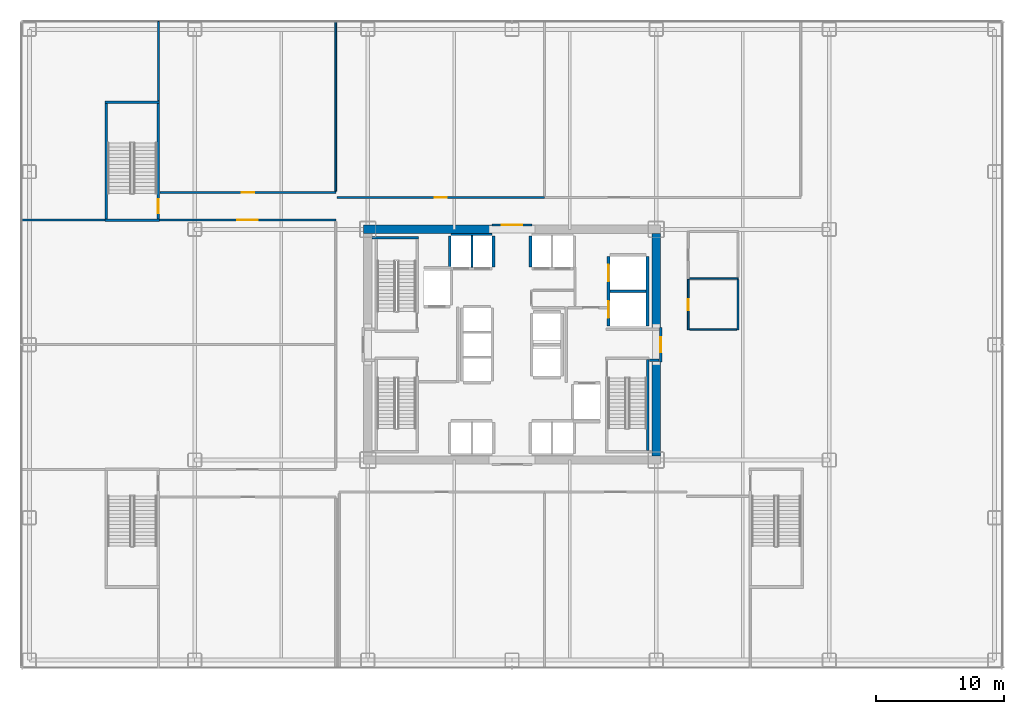
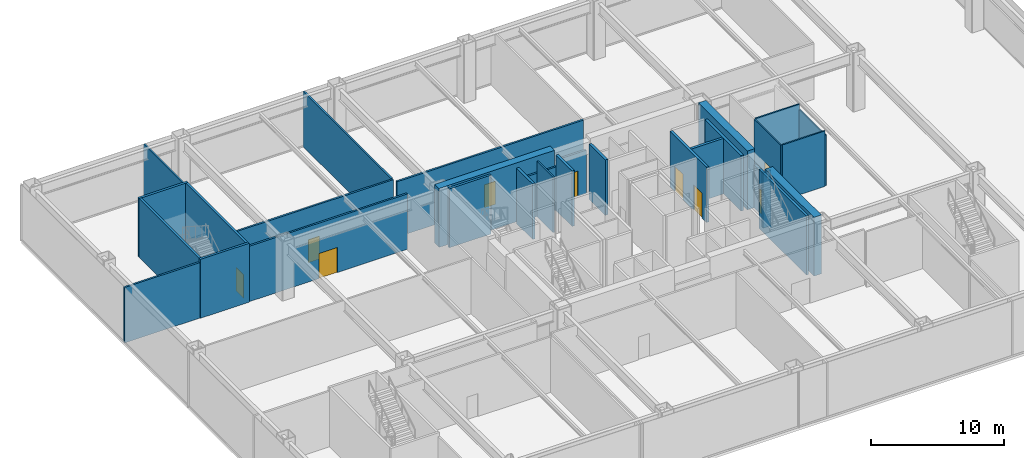
# One storey, part 19 of 24: 30 walls, 9 doors, 9 openings.
"""IFC4 building model written with IfcOpenShell, lengths in metres."""

import ifcopenshell
import ifcopenshell.guid

model = None  # the IFC model being written
_history = None  # IfcOwnerHistory: only IFC2X3 demands one
_inside = {}  # id of a spatial element -> (the spatial element, [elements in it])
_under = {}  # id of a project, library or spatial element -> (it, [spatial elements below it])
_declared = {}  # id of a project -> (the project, [libraries it declares])
_typed = {}  # id of a type object -> (the type object, [elements of that type])
_made_of = {}  # id of a material, layer set ... -> (it, [elements and type objects made of it])


def new_model(schema):
    """Start an empty IFC model of exactly this schema.

    Asked for "IFC4X3", IfcOpenShell would pick the latest addendum, in which some entities
    have other attributes; the version numbers below select the first issue.
    IFC2X3 requires an IfcOwnerHistory on every rooted entity: one is made here for all.
    """
    global model, _history
    if schema == "IFC4X3":
        model = ifcopenshell.file(schema_version=(4, 3, 0, 0))
    else:
        model = ifcopenshell.file(schema=schema)
    _inside.clear()
    _under.clear()
    _declared.clear()
    _typed.clear()
    _made_of.clear()
    _history = None
    if model.schema == "IFC2X3":
        org = make("IfcOrganization", Name="unknown")
        user = make(
            "IfcPersonAndOrganization",
            ThePerson=make("IfcPerson", FamilyName="unknown"),
            TheOrganization=org,
        )
        app = make(
            "IfcApplication",
            ApplicationDeveloper=org,
            Version="unknown",
            ApplicationFullName="unknown",
            ApplicationIdentifier="unknown",
        )
        _history = make(
            "IfcOwnerHistory",
            OwningUser=user,
            OwningApplication=app,
            ChangeAction="ADDED",
            CreationDate=0,
        )
    return model


def make(cls, **values):
    """One entity of the class cls with the attributes given. An attribute that is None is left unset."""
    return model.create_entity(
        cls, **{name: value for name, value in values.items() if value is not None}
    )


def rooted(cls, **values):
    """An entity with a GlobalId (a new one), such as an element, a storey or a relation."""
    return make(cls, GlobalId=ifcopenshell.guid.new(), OwnerHistory=_history, **values)


def si_unit(unit_type, name, prefix=None):
    """IfcSIUnit, for example si_unit("LENGTHUNIT", "METRE", prefix="MILLI")."""
    return make("IfcSIUnit", UnitType=unit_type, Prefix=prefix, Name=name)


def assignment(units):
    """IfcUnitAssignment: the units of a project."""
    return None if units is None else make("IfcUnitAssignment", Units=units)


def point(xyz):
    """IfcCartesianPoint."""
    return None if xyz is None else make("IfcCartesianPoint", Coordinates=xyz)


def direction(xyz):
    """IfcDirection."""
    return None if xyz is None else make("IfcDirection", DirectionRatios=xyz)


def frame(location, z_axis=None, x_axis=None):
    """IfcAxis2Placement3D, a coordinate frame: its origin and axes. An axis left out is left unset."""
    return make(
        "IfcAxis2Placement3D",
        Location=point(location),
        Axis=direction(z_axis),
        RefDirection=direction(x_axis),
    )


def frame_2d(location, x_axis=None):
    """IfcAxis2Placement2D, a coordinate frame in the plane: its origin and x axis."""
    return make(
        "IfcAxis2Placement2D", Location=point(location), RefDirection=direction(x_axis)
    )


def origin():
    """The frame at (0, 0, 0) with its axes left unset."""
    return frame((0.0, 0.0, 0.0))


def place(relative_to, where):
    """IfcLocalPlacement: puts the frame where relative to a parent placement (None: the world)."""
    return make(
        "IfcLocalPlacement", PlacementRelTo=relative_to, RelativePlacement=where
    )


def context(
    kind, dimensions, precision=None, world=None, true_north=None, identifier=None
):
    """IfcGeometricRepresentationContext, for example the 3D "Model" context."""
    return make(
        "IfcGeometricRepresentationContext",
        ContextIdentifier=identifier,
        ContextType=kind,
        CoordinateSpaceDimension=dimensions,
        Precision=precision,
        WorldCoordinateSystem=world,
        TrueNorth=true_north,
    )


def subcontext(parent, identifier, kind, view, scale=None):
    """IfcGeometricRepresentationSubContext, for example "Body" below "Model"."""
    return make(
        "IfcGeometricRepresentationSubContext",
        ContextIdentifier=identifier,
        ContextType=kind,
        ParentContext=parent,
        TargetScale=scale,
        TargetView=view,
    )


def project(units=None, contexts=None):
    """IfcProject with its units and contexts."""
    return rooted(
        "IfcProject",
        Name="project",
        RepresentationContexts=contexts,
        UnitsInContext=assignment(units),
    )


def spatial(cls, under=None, at=None, **own):
    """A site, building, storey or space (cls), placed at a placement, below another one or the project."""
    s = rooted(cls, ObjectPlacement=at, **own)
    if under is not None:
        _under.setdefault(under.id(), (under, []))[1].append(s)
    return s


def profile(cls, at=None, kind="AREA", **sizes):
    """A parametric profile (cls). Its sizes go by their IFC names, for example OverallWidth=200.0."""
    return make(cls, ProfileType=kind, Position=at, **sizes)


def rectangle(**sizes):
    """IfcRectangleProfileDef."""
    return profile("IfcRectangleProfileDef", **sizes)


def extrude(swept, where, along, depth):
    """IfcExtrudedAreaSolid: the profile swept, set in the frame where, extruded along a direction by depth."""
    return make(
        "IfcExtrudedAreaSolid",
        SweptArea=swept,
        Position=where,
        ExtrudedDirection=direction(along),
        Depth=depth,
    )


def shape(context_of_items, identifier, shape_type, items):
    """IfcShapeRepresentation: the items that make up one representation, for example the "Body"."""
    return make(
        "IfcShapeRepresentation",
        ContextOfItems=context_of_items,
        RepresentationIdentifier=identifier,
        RepresentationType=shape_type,
        Items=items,
    )


def source(mapping_origin, context_of_items, identifier, shape_type, items):
    """IfcRepresentationMap: a shape defined once, which mapped items show again and again."""
    return make(
        "IfcRepresentationMap",
        MappingOrigin=mapping_origin,
        MappedRepresentation=shape(context_of_items, identifier, shape_type, items),
    )


def transform(
    local_origin,
    x_axis=None,
    y_axis=None,
    z_axis=None,
    scale=None,
    scale2=None,
    scale3=None,
    uniform=True,
):
    """IfcCartesianTransformationOperator3D, or its non-uniform kind. x_axis, y_axis, z_axis: its Axis1, 2, 3."""
    if uniform:
        return make(
            "IfcCartesianTransformationOperator3D",
            Axis1=direction(x_axis),
            Axis2=direction(y_axis),
            LocalOrigin=point(local_origin),
            Scale=scale,
            Axis3=direction(z_axis),
        )
    return make(
        "IfcCartesianTransformationOperator3DnonUniform",
        Axis1=direction(x_axis),
        Axis2=direction(y_axis),
        LocalOrigin=point(local_origin),
        Scale=scale,
        Axis3=direction(z_axis),
        Scale2=scale2,
        Scale3=scale3,
    )


def mapped(mapping_source, mapping_target):
    """IfcMappedItem: shows the shape of a source again, moved by a transform."""
    return make(
        "IfcMappedItem", MappingSource=mapping_source, MappingTarget=mapping_target
    )


def material(Name=None, Category=None):
    """IfcMaterial."""
    return make("IfcMaterial", Name=Name, Category=Category)


def layer(
    of_material, thickness, ventilated=None, Name=None, Category=None, Priority=None
):
    """IfcMaterialLayer: one layer of a wall or slab, of a material (None: an air gap)."""
    return make(
        "IfcMaterialLayer",
        Material=of_material,
        LayerThickness=thickness,
        IsVentilated=ventilated,
        Name=Name,
        Category=Category,
        Priority=Priority,
    )


def layer_set(layers, Name=None):
    """IfcMaterialLayerSet."""
    return make("IfcMaterialLayerSet", MaterialLayers=layers, LayerSetName=Name)


def made_of(thing, what):
    """Note that an element or type object is made of a material, layer set ...; save() writes the relation."""
    if what is not None:
        _made_of.setdefault(what.id(), (what, []))[1].append(thing)
    return thing


def type_object(cls, material=None, **own):
    """A type object (cls), such as IfcWallType, which elements share."""
    return made_of(rooted(cls, **own), material)


def element(
    cls,
    number,
    at=None,
    inside=None,
    cuts=None,
    type_object=None,
    material=None,
    context=None,
    identifier="Body",
    shape_type=None,
    held_by="IfcProductDefinitionShape",
    body=None,
    shapes=None,
    **own,
):
    """One element of the class cls, such as IfcWall. Its Tag is "e" and its number.

    at: its placement. inside: the storey or other place that contains it. cuts: it is an
    opening in that element (IfcRelVoidsElement). A single representation is given by context,
    identifier, shape_type and body (its items); several are given by shapes. held_by: the class
    of the entity that holds the representations. save() writes the other relations.
    """
    e = rooted(cls, Tag="e%d" % number, ObjectPlacement=at, **own)
    if body is not None:
        shapes = [shape(context, identifier, shape_type, body)]
    if shapes is not None:
        e.Representation = make(held_by, Representations=shapes)
    if inside is not None:
        _inside.setdefault(inside.id(), (inside, []))[1].append(e)
    if cuts is not None:
        rooted(
            "IfcRelVoidsElement", RelatingBuildingElement=cuts, RelatedOpeningElement=e
        )
    if type_object is not None:
        _typed.setdefault(type_object.id(), (type_object, []))[1].append(e)
    return made_of(e, material)


def fill(opening, filler):
    """IfcRelFillsElement: the door or window that sits in an opening."""
    return rooted(
        "IfcRelFillsElement",
        RelatingOpeningElement=opening,
        RelatedBuildingElement=filler,
    )


def aggregate(whole, parts):
    """IfcRelAggregates: a whole, such as a stair, and the parts it consists of."""
    return rooted("IfcRelAggregates", RelatingObject=whole, RelatedObjects=parts)


def save(model, path):
    """Write the relations noted so far, then the file.

    IfcRelAggregates (storeys below a building ...), IfcRelContainedInSpatialStructure (elements
    in a storey), IfcRelDefinesByType, IfcRelAssociatesMaterial and IfcRelDeclares: one each for
    every whole, place, type object, material and project.
    """
    for whole, parts in _under.values():
        aggregate(whole, parts)
    for where, things in _inside.values():
        rooted(
            "IfcRelContainedInSpatialStructure",
            RelatedElements=things,
            RelatingStructure=where,
        )
    for kind, things in _typed.values():
        rooted("IfcRelDefinesByType", RelatedObjects=things, RelatingType=kind)
    for what, things in _made_of.values():
        rooted("IfcRelAssociatesMaterial", RelatedObjects=things, RelatingMaterial=what)
    for by, libraries in _declared.values():
        rooted("IfcRelDeclares", RelatingContext=by, RelatedDefinitions=libraries)
    model.write(path)


model = new_model("IFC4")

# Units and contexts
model_context = context("Model", 3, precision=1e-05, world=origin(), true_north=direction((0.0, 1.0)))
body_context = subcontext(model_context, "Body", "Model", "MODEL_VIEW")
ifc_project = project(units=[si_unit("LENGTHUNIT", "METRE"), si_unit("AREAUNIT", "SQUARE_METRE"), si_unit("VOLUMEUNIT", "CUBIC_METRE"), si_unit("PLANEANGLEUNIT", "RADIAN"), si_unit("MASSUNIT", "GRAM", prefix="KILO")], contexts=[model_context])

# Site, building, storey
site_placement = place(None, origin())
site = spatial("IfcSite", under=ifc_project, at=site_placement, CompositionType="ELEMENT")
building_placement = place(site_placement, origin())
building = spatial("IfcBuilding", under=site, at=building_placement, Name="Nefas-Gora Pilgrimage Tower", CompositionType="ELEMENT")
storey_placement = place(building_placement, frame((0.0, 0.0, 16.800048828125)))
storey = spatial("IfcBuildingStorey", under=building, at=storey_placement, Name="L03", CompositionType="ELEMENT", Elevation=16.800048828125)

# Walls
ifc_material_1 = material(Name="Concrete C60/75", Category="concrete")
ifc_layer_1 = layer(ifc_material_1, 0.64990234375)
ifc_layer_set_1 = layer_set([ifc_layer_1], Name="Concrete C60/75")
wall_type_1 = type_object("IfcWallType", Name="SW-CORE-650", PredefinedType="SHEAR", material=ifc_layer_set_1)
shared_shape_1 = source(origin(), body_context, "Body", "SweptSolid", [
    extrude(rectangle(XDim=10.02490234375, YDim=0.64990234375, at=frame_2d((5.012451171875, 0.0))), origin(), (0.0, 0.0, 1.0), 5.39990234375),
])
wall_1_placement = place(storey_placement, frame((-11.574951171875, 9.0, 0.0), z_axis=(0.0, 0.0, 1.0), x_axis=(1.0, 0.0, 0.0)))
element("IfcWall", 1, at=wall_1_placement, inside=storey, type_object=wall_type_1, Name="L03 Core Shear Wall N-West", PredefinedType="SHEAR", context=body_context, shape_type="MappedRepresentation", body=[
    mapped(shared_shape_1, transform((0.0, 0.0, 0.0), x_axis=(1.0, 0.0, 0.0), y_axis=(0.0, 1.0, 0.0), z_axis=(0.0, 0.0, 1.0), scale=1.0)),
])
shared_shape_2 = source(origin(), body_context, "Body", "SweptSolid", [
    extrude(rectangle(XDim=7.324951171875, YDim=0.64990234375, at=frame_2d((3.66259765625, 0.0))), origin(), (0.0, 0.0, 1.0), 5.39990234375),
])
for number, where, z_axis, x_axis, name in (
    (2, (11.25, -8.675048828125, 0.0), (0.0, 0.0, 1.0), (0.0, 1.0, 0.0), "L03 Core Shear Wall E-South"),
    (3, (11.25, 1.35009765625, 0.0), (0.0, 0.0, 1.0), (0.0, 1.0, 0.0), "L03 Core Shear Wall E-North"),
):
    element("IfcWall", number, at=place(storey_placement, frame(where, z_axis=z_axis, x_axis=x_axis)), inside=storey, type_object=wall_type_1, Name=name, PredefinedType="SHEAR", context=body_context, shape_type="MappedRepresentation", body=[
        mapped(shared_shape_2, transform((0.0, 0.0, 0.0), x_axis=(1.0, 0.0, 0.0), y_axis=(0.0, 1.0, 0.0), z_axis=(0.0, 0.0, 1.0), scale=1.0)),
    ])
ifc_material_2 = material(Name="Concrete C45/55", Category="concrete")
ifc_layer_2 = layer(ifc_material_2, 0.199951171875)
ifc_layer_set_2 = layer_set([ifc_layer_2], Name="Concrete C45/55")
wall_type_2 = type_object("IfcWallType", Name="IW-STAIR-200", PredefinedType="SOLIDWALL", material=ifc_layer_set_2)
shared_shape_3 = source(origin(), body_context, "Body", "SweptSolid", [
    extrude(rectangle(XDim=3.6298828125, YDim=0.199951171875, at=frame_2d((1.81494140625, 0.0))), origin(), (0.0, 0.0, 1.0), 5.39990234375),
])
wall_2_placement = place(storey_placement, frame((-7.300048828125, 8.35009765625, 0.0), z_axis=(0.0, 0.0, 1.0), x_axis=(-1.0, 0.0, 0.0)))
element("IfcWall", 4, at=wall_2_placement, inside=storey, type_object=wall_type_2, Name="L03 Stairwell Shear Wall ST-01-far", PredefinedType="SOLIDWALL", context=body_context, shape_type="MappedRepresentation", body=[
    mapped(shared_shape_3, transform((0.0, 0.0, 0.0), x_axis=(1.0, 0.0, 0.0), y_axis=(0.0, 1.0, 0.0), z_axis=(0.0, 0.0, 1.0), scale=1.0)),
])
shared_shape_4 = source(origin(), body_context, "Body", "SweptSolid", [
    extrude(rectangle(XDim=7.10009765625, YDim=0.199951171875, at=frame_2d((3.550048828125, 0.0))), origin(), (0.0, 0.0, 1.0), 5.39990234375),
])
wall_3_placement = place(storey_placement, frame((10.60009765625, -1.14990234375, 0.0), z_axis=(0.0, 0.0, 1.0), x_axis=(0.0, -1.0, 0.0)))
element("IfcWall", 5, at=wall_3_placement, inside=storey, type_object=wall_type_2, Name="L03 Stairwell Shear Wall ST-02-right", PredefinedType="SOLIDWALL", context=body_context, shape_type="MappedRepresentation", body=[
    mapped(shared_shape_4, transform((0.0, 0.0, 0.0), x_axis=(1.0, 0.0, 0.0), y_axis=(0.0, 1.0, 0.0), z_axis=(0.0, 0.0, 1.0), scale=1.0)),
])
shared_shape_5 = source(origin(), body_context, "Body", "SweptSolid", [
    extrude(rectangle(XDim=4.239990234375, YDim=0.199951171875, at=frame_2d((2.1201171875, 0.0))), origin(), (0.0, 0.0, 1.0), 5.39990234375),
])
for number, where, z_axis, x_axis, name in (
    (6, (-27.5, 9.699951171875, 0.0), (0.0, 0.0, 1.0), (-1.0, 0.0, 0.0), "L03 Stairwell Shear Wall ST-04-near"),
    (7, (-27.5, 18.89990234375, 0.0), (0.0, 0.0, 1.0), (-1.0, 0.0, 0.0), "L03 Stairwell Shear Wall ST-04-far"),
):
    element("IfcWall", number, at=place(storey_placement, frame(where, z_axis=z_axis, x_axis=x_axis)), inside=storey, type_object=wall_type_2, Name=name, PredefinedType="SOLIDWALL", context=body_context, shape_type="MappedRepresentation", body=[
        mapped(shared_shape_5, transform((0.0, 0.0, 0.0), x_axis=(1.0, 0.0, 0.0), y_axis=(0.0, 1.0, 0.0), z_axis=(0.0, 0.0, 1.0), scale=1.0)),
    ])

# Wall, opening, door
shared_shape_6 = source(origin(), body_context, "Body", "SweptSolid", [
    extrude(rectangle(XDim=9.0, YDim=0.199951171875, at=frame_2d((4.5, 0.0))), origin(), (0.0, 0.0, 1.0), 5.39990234375),
])
wall_4_placement = place(storey_placement, frame((-27.60009765625, 9.800048828125, 0.0), z_axis=(0.0, 0.0, 1.0), x_axis=(0.0, 1.0, 0.0)))
wall_4 = element("IfcWall", 8, at=wall_4_placement, inside=storey, type_object=wall_type_2, Name="L03 Stairwell Shear Wall ST-04-left", PredefinedType="SOLIDWALL", context=body_context, shape_type="MappedRepresentation", body=[
    mapped(shared_shape_6, transform((0.0, 0.0, 0.0), x_axis=(1.0, 0.0, 0.0), y_axis=(0.0, 1.0, 0.0), z_axis=(0.0, 0.0, 1.0), scale=1.0)),
])
opening_1_placement = place(wall_4_placement, frame((0.449951171875, 0.0, 0.0)))
opening_1 = element("IfcOpeningElement", 9, at=opening_1_placement, cuts=wall_4, Name="Opening ID-ST1", PredefinedType="OPENING", context=body_context, shape_type="SweptSolid", body=[
    extrude(rectangle(XDim=1.10009765625, YDim=2.14990234375, at=frame_2d((0.550048828125, 1.074951171875))), frame((0.0, 0.10986328125, 0.0), z_axis=(0.0, -1.0, 0.0), x_axis=(1.0, 0.0, 0.0)), (0.0, 0.0, 1.0), 0.219970703125),
])
ifc_material_3 = material(Name="Painted galvanised steel fire stair door", Category="steel")
door_type_1 = type_object("IfcDoorType", Name="DR-INT-STAIR-1100", OperationType="NOTDEFINED", PredefinedType="DOOR", material=ifc_material_3)
shared_shape_7 = source(origin(), body_context, "Body", "SweptSolid", [
    extrude(rectangle(XDim=1.10009765625, YDim=2.14990234375, at=frame_2d((0.550048828125, 1.074951171875))), frame((0.0, 0.02490234375, 0.0), z_axis=(0.0, -1.0, 0.0), x_axis=(1.0, 0.0, 0.0)), (0.0, 0.0, 1.0), 0.050048828125),
])
door_1_placement = place(opening_1_placement, origin())
door_1 = element("IfcDoor", 10, at=door_1_placement, inside=storey, type_object=door_type_1, Name="L03 Protected Exit Stair Door ST-04", OperationType="SINGLE_SWING_LEFT", OverallHeight=2.14990234375, OverallWidth=1.10009765625, PredefinedType="DOOR", context=body_context, shape_type="MappedRepresentation", body=[
    mapped(shared_shape_7, transform((0.0, 0.0, 0.0), x_axis=(1.0, 0.0, 0.0), y_axis=(0.0, 1.0, 0.0), z_axis=(0.0, 0.0, 1.0), scale=1.0)),
])
fill(opening_1, door_1)

# Wall
wall_5_placement = place(storey_placement, frame((-31.639892578125, 9.800048828125, 0.0), z_axis=(0.0, 0.0, 1.0), x_axis=(0.0, 1.0, 0.0)))
element("IfcWall", 11, at=wall_5_placement, inside=storey, type_object=wall_type_2, Name="L03 Stairwell Shear Wall ST-04-right", PredefinedType="SOLIDWALL", context=body_context, shape_type="MappedRepresentation", body=[
    mapped(shared_shape_6, transform((0.0, 0.0, 0.0), x_axis=(1.0, 0.0, 0.0), y_axis=(0.0, 1.0, 0.0), z_axis=(0.0, 0.0, 1.0), scale=1.0)),
])

# Wall, openings, doors
ifc_material_4 = material(Name="Concrete C40/50", Category="concrete")
ifc_layer_3 = layer(ifc_material_4, 0.219970703125)
ifc_layer_set_3 = layer_set([ifc_layer_3], Name="Concrete C40/50")
wall_type_3 = type_object("IfcWallType", Name="IW-SHAFT-220", PredefinedType="SOLIDWALL", material=ifc_layer_set_3)
shared_shape_8 = source(origin(), body_context, "Body", "SweptSolid", [
    extrude(rectangle(XDim=5.449951171875, YDim=0.219970703125, at=frame_2d((2.72509765625, 0.0))), origin(), (0.0, 0.0, 1.0), 5.0849609375),
])
wall_6_placement = place(storey_placement, frame((7.5400390625, 6.89990234375, 0.0), z_axis=(0.0, 0.0, 1.0), x_axis=(0.0, -1.0, 0.0)))
wall_6 = element("IfcWall", 12, at=wall_6_placement, inside=storey, type_object=wall_type_3, Name="L03 Hoistway Wall SL-01-02-W", PredefinedType="SOLIDWALL", context=body_context, shape_type="MappedRepresentation", body=[
    mapped(shared_shape_8, transform((0.0, 0.0, 0.0), x_axis=(1.0, 0.0, 0.0), y_axis=(0.0, 1.0, 0.0), z_axis=(0.0, 0.0, 1.0), scale=1.0)),
])
opening_2_placement = place(wall_6_placement, frame((3.5, 0.0, 0.0)))
opening_2 = element("IfcOpeningElement", 13, at=opening_2_placement, cuts=wall_6, Name="Opening LD-SV", PredefinedType="OPENING", context=body_context, shape_type="SweptSolid", body=[
    extrude(rectangle(XDim=1.300048828125, YDim=2.300048828125, at=frame_2d((0.64990234375, 1.14990234375))), frame((0.0, 0.119873046875, 0.0), z_axis=(0.0, -1.0, 0.0), x_axis=(1.0, 0.0, 0.0)), (0.0, 0.0, 1.0), 0.239990234375),
])
opening_3_placement = place(wall_6_placement, frame((0.64990234375, 0.0, 0.0)))
opening_3 = element("IfcOpeningElement", 14, at=opening_3_placement, cuts=wall_6, Name="Opening LD-SV", PredefinedType="OPENING", context=body_context, shape_type="SweptSolid", body=[
    extrude(rectangle(XDim=1.300048828125, YDim=2.300048828125, at=frame_2d((0.64990234375, 1.14990234375))), frame((0.0, 0.119873046875, 0.0), z_axis=(0.0, -1.0, 0.0), x_axis=(1.0, 0.0, 0.0)), (0.0, 0.0, 1.0), 0.239990234375),
])
ifc_material_5 = material(Name="Heavy goods sliding lift landing door")
door_type_2 = type_object("IfcDoorType", Name="DR-LIFT-SERV-1300", OperationType="SLIDING_TO_RIGHT", PredefinedType="DOOR", material=ifc_material_5)
shared_shape_9 = source(origin(), body_context, "Body", "SweptSolid", [
    extrude(rectangle(XDim=1.300048828125, YDim=2.300048828125, at=frame_2d((0.64990234375, 1.14990234375))), frame((0.0, 0.02490234375, 0.0), z_axis=(0.0, -1.0, 0.0), x_axis=(1.0, 0.0, 0.0)), (0.0, 0.0, 1.0), 0.050048828125),
])
door_2_placement = place(opening_2_placement, origin())
door_2 = element("IfcDoor", 15, at=door_2_placement, inside=storey, type_object=door_type_2, Name="L03 Sliding Lift Landing Door SL-01", OperationType="SLIDING_TO_RIGHT", OverallHeight=2.300048828125, OverallWidth=1.300048828125, PredefinedType="DOOR", context=body_context, shape_type="MappedRepresentation", body=[
    mapped(shared_shape_9, transform((0.0, 0.0, 0.0), x_axis=(1.0, 0.0, 0.0), y_axis=(0.0, 1.0, 0.0), z_axis=(0.0, 0.0, 1.0), scale=1.0)),
])
fill(opening_2, door_2)
door_3_placement = place(opening_3_placement, origin())
door_3 = element("IfcDoor", 16, at=door_3_placement, inside=storey, type_object=door_type_2, Name="L03 Sliding Lift Landing Door SL-02", OperationType="SLIDING_TO_RIGHT", OverallHeight=2.300048828125, OverallWidth=1.300048828125, PredefinedType="DOOR", context=body_context, shape_type="MappedRepresentation", body=[
    mapped(shared_shape_9, transform((0.0, 0.0, 0.0), x_axis=(1.0, 0.0, 0.0), y_axis=(0.0, 1.0, 0.0), z_axis=(0.0, 0.0, 1.0), scale=1.0)),
])
fill(opening_3, door_3)

# Walls
wall_7_placement = place(storey_placement, frame((10.56005859375, 1.449951171875, 0.0), z_axis=(0.0, 0.0, 1.0), x_axis=(0.0, 1.0, 0.0)))
element("IfcWall", 17, at=wall_7_placement, inside=storey, type_object=wall_type_3, Name="L03 Hoistway Wall SL-01-02-E", PredefinedType="SOLIDWALL", context=body_context, shape_type="MappedRepresentation", body=[
    mapped(shared_shape_8, transform((0.0, 0.0, 0.0), x_axis=(1.0, 0.0, 0.0), y_axis=(0.0, 1.0, 0.0), z_axis=(0.0, 0.0, 1.0), scale=1.0)),
])
shared_shape_10 = source(origin(), body_context, "Body", "SweptSolid", [
    extrude(rectangle(XDim=2.780029296875, YDim=0.219970703125, at=frame_2d((1.39013671875, 0.0))), origin(), (0.0, 0.0, 1.0), 5.0849609375),
])
wall_8_placement = place(storey_placement, frame((7.659912109375, 4.175048828125, 0.0), z_axis=(0.0, 0.0, 1.0), x_axis=(1.0, 0.0, 0.0)))
element("IfcWall", 18, at=wall_8_placement, inside=storey, type_object=wall_type_3, Name="L03 Hoistway Wall SL-01-02-DIV", PredefinedType="SOLIDWALL", context=body_context, shape_type="MappedRepresentation", body=[
    mapped(shared_shape_10, transform((0.0, 0.0, 0.0), x_axis=(1.0, 0.0, 0.0), y_axis=(0.0, 1.0, 0.0), z_axis=(0.0, 0.0, 1.0), scale=1.0)),
])
shared_shape_11 = source(origin(), body_context, "Body", "SweptSolid", [
    extrude(rectangle(XDim=2.429931640625, YDim=0.219970703125, at=frame_2d((1.21484375, 0.0))), origin(), (0.0, 0.0, 1.0), 5.0849609375),
])
for number, where, z_axis, x_axis, name in (
    (19, (-4.860107421875, 8.489990234375, 0.0), (0.0, 0.0, 1.0), (0.0, -1.0, 0.0), "L03 Hoistway Wall PL1-W-W"),
    (20, (-1.43994140625, 6.06005859375, 0.0), (0.0, 0.0, 1.0), (0.0, 1.0, 0.0), "L03 Hoistway Wall PL1-W-E"),
    (21, (1.43994140625, 8.489990234375, 0.0), (0.0, 0.0, 1.0), (0.0, -1.0, 0.0), "L03 Hoistway Wall PL1-E-W"),
):
    element("IfcWall", number, at=place(storey_placement, frame(where, z_axis=z_axis, x_axis=x_axis)), inside=storey, type_object=wall_type_3, Name=name, PredefinedType="SOLIDWALL", context=body_context, shape_type="MappedRepresentation", body=[
        mapped(shared_shape_11, transform((0.0, 0.0, 0.0), x_axis=(1.0, 0.0, 0.0), y_axis=(0.0, 1.0, 0.0), z_axis=(0.0, 0.0, 1.0), scale=1.0)),
    ])
ifc_material_6 = material(Name="Gypsum twin-stud partition")
ifc_layer_4 = layer(ifc_material_6, 0.139892578125)
ifc_layer_set_4 = layer_set([ifc_layer_4], Name="Gypsum twin-stud partition")
wall_type_4 = type_object("IfcWallType", Name="IW-UNIT-140", PredefinedType="PARTITIONING", material=ifc_layer_set_4)
shared_shape_12 = source(origin(), body_context, "Body", "SweptSolid", [
    extrude(rectangle(XDim=2.429931640625, YDim=0.139892578125, at=frame_2d((1.21484375, 0.0))), origin(), (0.0, 0.0, 1.0), 5.0849609375),
])
wall_9_placement = place(storey_placement, frame((-3.125, 6.06005859375, 0.0), z_axis=(0.0, 0.0, 1.0), x_axis=(0.0, 1.0, 0.0)))
element("IfcWall", 22, at=wall_9_placement, inside=storey, type_object=wall_type_4, Name="L03 Hoistway Wall PL1-W-DIV", PredefinedType="PARTITIONING", context=body_context, shape_type="MappedRepresentation", body=[
    mapped(shared_shape_12, transform((0.0, 0.0, 0.0), x_axis=(1.0, 0.0, 0.0), y_axis=(0.0, 1.0, 0.0), z_axis=(0.0, 0.0, 1.0), scale=1.0)),
])
ifc_material_7 = material(Name="Gypsum acoustic stud partition")
ifc_layer_5 = layer(ifc_material_7, 0.159912109375)
ifc_layer_set_5 = layer_set([ifc_layer_5], Name="Gypsum acoustic stud partition")
wall_type_5 = type_object("IfcWallType", Name="IW-CORR-160", PredefinedType="PARTITIONING", material=ifc_layer_set_5)
shared_shape_13 = source(origin(), body_context, "Body", "SweptSolid", [
    extrude(rectangle(XDim=3.199951171875, YDim=0.159912109375, at=frame_2d((1.60009765625, 0.0))), origin(), (0.0, 0.0, 1.0), 3.974853515625),
])
wall_10_placement = place(storey_placement, frame((-1.550048828125, 8.580078125, 0.0), z_axis=(0.0, 0.0, 1.0), x_axis=(-1.0, 0.0, 0.0)))
element("IfcWall", 23, at=wall_10_placement, inside=storey, type_object=wall_type_5, Name="L03 Hoistway Wall PL1-W-N", PredefinedType="PARTITIONING", context=body_context, shape_type="MappedRepresentation", body=[
    mapped(shared_shape_13, transform((0.0, 0.0, 0.0), x_axis=(1.0, 0.0, 0.0), y_axis=(0.0, 1.0, 0.0), z_axis=(0.0, 0.0, 1.0), scale=1.0)),
])
ifc_material_8 = material(Name="Gypsum fire-rated shaftwall")
ifc_layer_6 = layer(ifc_material_8, 0.199951171875)
ifc_layer_set_6 = layer_set([ifc_layer_6], Name="Gypsum fire-rated shaftwall")
wall_type_6 = type_object("IfcWallType", Name="IW-FFLOB-200", PredefinedType="PARTITIONING", material=ifc_layer_set_6)
shared_shape_14 = source(origin(), body_context, "Body", "SweptSolid", [
    extrude(rectangle(XDim=0.719970703125, YDim=0.199951171875, at=frame_2d((0.35986328125, 0.0))), origin(), (0.0, 0.0, 1.0), 5.0849609375),
])
wall_11_placement = place(storey_placement, frame((10.739990234375, -1.219970703125, 0.0), z_axis=(0.0, 0.0, 1.0), x_axis=(1.0, 0.0, 0.0)))
element("IfcWall", 24, at=wall_11_placement, inside=storey, type_object=wall_type_6, Name="L03 FF Lobby East Throat S Wall 13", PredefinedType="PARTITIONING", context=body_context, shape_type="MappedRepresentation", body=[
    mapped(shared_shape_14, transform((0.0, 0.0, 0.0), x_axis=(1.0, 0.0, 0.0), y_axis=(0.0, 1.0, 0.0), z_axis=(0.0, 0.0, 1.0), scale=1.0)),
])
ifc_material_9 = material(Name="Moisture-resistant fire-rated gypsum partition")
ifc_layer_7 = layer(ifc_material_9, 0.1201171875)
ifc_layer_set_7 = layer_set([ifc_layer_7], Name="Moisture-resistant fire-rated gypsum partition")
wall_type_7 = type_object("IfcWallType", Name="IW-WET-120", PredefinedType="PLUMBINGWALL", material=ifc_layer_set_7)
shared_shape_15 = source(origin(), body_context, "Body", "SweptSolid", [
    extrude(rectangle(XDim=3.789794921875, YDim=0.1201171875, at=frame_2d((1.89501953125, 0.0))), origin(), (0.0, 0.0, 1.0), 5.0849609375),
])
wall_12_placement = place(storey_placement, frame((13.85009765625, 5.169921875, 0.0), z_axis=(0.0, 0.0, 1.0), x_axis=(1.0, 0.0, 0.0)))
element("IfcWall", 25, at=wall_12_placement, inside=storey, type_object=wall_type_7, Name="L03 L03 Podium Accessible WC Partition Wall 20", PredefinedType="PLUMBINGWALL", context=body_context, shape_type="MappedRepresentation", body=[
    mapped(shared_shape_15, transform((0.0, 0.0, 0.0), x_axis=(1.0, 0.0, 0.0), y_axis=(0.0, 1.0, 0.0), z_axis=(0.0, 0.0, 1.0), scale=1.0)),
])

# Wall, opening, door
shared_shape_16 = source(origin(), body_context, "Body", "SweptSolid", [
    extrude(rectangle(XDim=3.93017578125, YDim=0.1201171875, at=frame_2d((1.965087890625, 0.0))), origin(), (0.0, 0.0, 1.0), 5.0849609375),
])
wall_13_placement = place(storey_placement, frame((13.75, 1.159912109375, 0.0), z_axis=(0.0, 0.0, 1.0), x_axis=(0.0, 1.0, 0.0)))
wall_13 = element("IfcWall", 26, at=wall_13_placement, inside=storey, type_object=wall_type_7, Name="L03 L03 Podium Public Washroom WC Partition Wall 23", PredefinedType="PLUMBINGWALL", context=body_context, shape_type="MappedRepresentation", body=[
    mapped(shared_shape_16, transform((0.0, 0.0, 0.0), x_axis=(1.0, 0.0, 0.0), y_axis=(0.0, 1.0, 0.0), z_axis=(0.0, 0.0, 1.0), scale=1.0)),
])
opening_4_placement = place(wall_13_placement, frame((1.5400390625, 0.0, 0.0)))
opening_4 = element("IfcOpeningElement", 27, at=opening_4_placement, cuts=wall_13, Name="Opening ID-BT1", PredefinedType="OPENING", context=body_context, shape_type="SweptSolid", body=[
    extrude(rectangle(XDim=0.85009765625, YDim=2.10009765625, at=frame_2d((0.425048828125, 1.050048828125))), frame((0.0, 0.070068359375, 0.0), z_axis=(0.0, -1.0, 0.0), x_axis=(1.0, 0.0, 0.0)), (0.0, 0.0, 1.0), 0.14013671875),
])
ifc_material_10 = material(Name="Moisture-resistant fire-rated timber door", Category="wood")
door_type_3 = type_object("IfcDoorType", Name="DR-INT-BATH-850", OperationType="NOTDEFINED", PredefinedType="DOOR", material=ifc_material_10)
shared_shape_17 = source(origin(), body_context, "Body", "SweptSolid", [
    extrude(rectangle(XDim=0.85009765625, YDim=2.10009765625, at=frame_2d((0.425048828125, 1.050048828125))), frame((0.0, 0.02490234375, 0.0), z_axis=(0.0, -1.0, 0.0), x_axis=(1.0, 0.0, 0.0)), (0.0, 0.0, 1.0), 0.050048828125),
])
door_4_placement = place(opening_4_placement, origin())
door_4 = element("IfcDoor", 28, at=door_4_placement, inside=storey, type_object=door_type_3, Name="L03 L03 Podium Public Washroom WC Door 8", OperationType="SINGLE_SWING_RIGHT", OverallHeight=2.10009765625, OverallWidth=0.85009765625, PredefinedType="DOOR", context=body_context, shape_type="MappedRepresentation", body=[
    mapped(shared_shape_17, transform((0.0, 0.0, 0.0), x_axis=(1.0, 0.0, 0.0), y_axis=(0.0, 1.0, 0.0), z_axis=(0.0, 0.0, 1.0), scale=1.0)),
])
fill(opening_4, door_4)

# Walls
shared_shape_18 = source(origin(), body_context, "Body", "SweptSolid", [
    extrude(rectangle(XDim=3.91015625, YDim=0.1201171875, at=frame_2d((1.955078125, 0.0))), origin(), (0.0, 0.0, 1.0), 4.625),
])
wall_14_placement = place(storey_placement, frame((17.6298828125, 1.159912109375, 0.0), z_axis=(0.0, 0.0, 1.0), x_axis=(0.0, 1.0, 0.0)))
element("IfcWall", 29, at=wall_14_placement, inside=storey, type_object=wall_type_7, Name="L03 L03 Podium Public Washroom WC Partition Wall 24", PredefinedType="PLUMBINGWALL", context=body_context, shape_type="MappedRepresentation", body=[
    mapped(shared_shape_18, transform((0.0, 0.0, 0.0), x_axis=(1.0, 0.0, 0.0), y_axis=(0.0, 1.0, 0.0), z_axis=(0.0, 0.0, 1.0), scale=1.0)),
])
shared_shape_19 = source(origin(), body_context, "Body", "SweptSolid", [
    extrude(rectangle(XDim=3.679931640625, YDim=0.1201171875, at=frame_2d((1.83984375, 0.0))), origin(), (0.0, 0.0, 1.0), 5.0849609375),
])
wall_15_placement = place(storey_placement, frame((13.85009765625, 1.169921875, 0.0), z_axis=(0.0, 0.0, 1.0), x_axis=(1.0, 0.0, 0.0)))
element("IfcWall", 30, at=wall_15_placement, inside=storey, type_object=wall_type_7, Name="L03 L03 Podium Public Washroom WC Partition Wall 25", PredefinedType="PLUMBINGWALL", context=body_context, shape_type="MappedRepresentation", body=[
    mapped(shared_shape_19, transform((0.0, 0.0, 0.0), x_axis=(1.0, 0.0, 0.0), y_axis=(0.0, 1.0, 0.0), z_axis=(0.0, 0.0, 1.0), scale=1.0)),
])
shared_shape_20 = source(origin(), body_context, "Body", "SweptSolid", [
    extrude(rectangle(XDim=6.179931640625, YDim=0.139892578125, at=frame_2d((3.08984375, 0.0))), origin(), (0.0, 0.0, 1.0), 5.0849609375),
])
wall_16_placement = place(storey_placement, frame((-27.580078125, 19.0400390625, 0.0), z_axis=(0.0, 0.0, 1.0), x_axis=(0.0, 1.0, 0.0)))
element("IfcWall", 31, at=wall_16_placement, inside=storey, type_object=wall_type_4, Name="L03 Commercial Preparation Kitchen Partition Wall 34", PredefinedType="PARTITIONING", context=body_context, shape_type="MappedRepresentation", body=[
    mapped(shared_shape_20, transform((0.0, 0.0, 0.0), x_axis=(1.0, 0.0, 0.0), y_axis=(0.0, 1.0, 0.0), z_axis=(0.0, 0.0, 1.0), scale=1.0)),
])
shared_shape_21 = source(origin(), body_context, "Body", "SweptSolid", [
    extrude(rectangle(XDim=13.22998046875, YDim=0.139892578125, at=frame_2d((6.614990234375, 0.0))), origin(), (0.0, 0.0, 1.0), 5.0849609375),
])
wall_17_placement = place(storey_placement, frame((-13.75, 11.989990234375, 0.0), z_axis=(0.0, 0.0, 1.0), x_axis=(0.0, 1.0, 0.0)))
element("IfcWall", 32, at=wall_17_placement, inside=storey, type_object=wall_type_4, Name="L03 Commercial Preparation Kitchen Partition Wall 35", PredefinedType="PARTITIONING", context=body_context, shape_type="MappedRepresentation", body=[
    mapped(shared_shape_21, transform((0.0, 0.0, 0.0), x_axis=(1.0, 0.0, 0.0), y_axis=(0.0, 1.0, 0.0), z_axis=(0.0, 0.0, 1.0), scale=1.0)),
])

# Wall, opening, door
shared_shape_22 = source(origin(), body_context, "Body", "SweptSolid", [
    extrude(rectangle(XDim=13.719970703125, YDim=0.159912109375, at=frame_2d((6.85986328125, 0.0))), origin(), (0.0, 0.0, 1.0), 5.0849609375),
])
wall_18_placement = place(storey_placement, frame((-27.4599609375, 11.8701171875, 0.0), z_axis=(0.0, 0.0, 1.0), x_axis=(1.0, 0.0, 0.0)))
wall_18 = element("IfcWall", 33, at=wall_18_placement, inside=storey, type_object=wall_type_5, Name="L03 Commercial Preparation Kitchen Partition Wall 33", PredefinedType="PARTITIONING", context=body_context, shape_type="MappedRepresentation", body=[
    mapped(shared_shape_22, transform((0.0, 0.0, 0.0), x_axis=(1.0, 0.0, 0.0), y_axis=(0.0, 1.0, 0.0), z_axis=(0.0, 0.0, 1.0), scale=1.0)),
])
opening_5_placement = place(wall_18_placement, frame((6.385009765625, 0.0, 0.0)))
opening_5 = element("IfcOpeningElement", 34, at=opening_5_placement, cuts=wall_18, Name="Opening ID-GR1", PredefinedType="OPENING", context=body_context, shape_type="SweptSolid", body=[
    extrude(rectangle(XDim=0.949951171875, YDim=2.10009765625, at=frame_2d((0.47509765625, 1.050048828125))), frame((0.0, 0.08984375, 0.0), z_axis=(0.0, -1.0, 0.0), x_axis=(1.0, 0.0, 0.0)), (0.0, 0.0, 1.0), 0.179931640625),
])
ifc_material_11 = material(Name="Solid core oak fire-rated guest entrance door")
door_type_4 = type_object("IfcDoorType", Name="DR-INT-GUEST-950", OperationType="NOTDEFINED", PredefinedType="DOOR", material=ifc_material_11)
shared_shape_23 = source(origin(), body_context, "Body", "SweptSolid", [
    extrude(rectangle(XDim=0.949951171875, YDim=2.10009765625, at=frame_2d((0.47509765625, 1.050048828125))), frame((0.0, 0.02490234375, 0.0), z_axis=(0.0, -1.0, 0.0), x_axis=(1.0, 0.0, 0.0)), (0.0, 0.0, 1.0), 0.050048828125),
])
door_5_placement = place(opening_5_placement, origin())
door_5 = element("IfcDoor", 35, at=door_5_placement, inside=storey, type_object=door_type_4, Name="L03 Commercial Preparation Kitchen Door 11", OperationType="SINGLE_SWING_LEFT", OverallHeight=2.10009765625, OverallWidth=0.949951171875, PredefinedType="DOOR", context=body_context, shape_type="MappedRepresentation", body=[
    mapped(shared_shape_23, transform((0.0, 0.0, 0.0), x_axis=(1.0, 0.0, 0.0), y_axis=(0.0, 1.0, 0.0), z_axis=(0.0, 0.0, 1.0), scale=1.0)),
])
fill(opening_5, door_5)

shared_shape_24 = source(origin(), body_context, "Body", "SweptSolid", [
    extrude(rectangle(XDim=2.7001953125, YDim=0.199951171875, at=frame_2d((1.35009765625, 0.0))), origin(), (0.0, 0.0, 1.0), 3.974853515625),
])
wall_19_placement = place(storey_placement, frame((11.60009765625, -1.35009765625, 0.0), z_axis=(0.0, 0.0, 1.0), x_axis=(0.0, 1.0, 0.0)))
wall_19 = element("IfcWall", 36, at=wall_19_placement, inside=storey, type_object=wall_type_6, Name="L03 FF Lobby East Portal Wall 8", PredefinedType="PARTITIONING", context=body_context, shape_type="MappedRepresentation", body=[
    mapped(shared_shape_24, transform((0.0, 0.0, 0.0), x_axis=(1.0, 0.0, 0.0), y_axis=(0.0, 1.0, 0.0), z_axis=(0.0, 0.0, 1.0), scale=1.0)),
])
opening_6_placement = place(wall_19_placement, frame((0.75, 0.0, 0.0)))
opening_6 = element("IfcOpeningElement", 37, at=opening_6_placement, cuts=wall_19, Name="Opening ID-FF1", PredefinedType="OPENING", context=body_context, shape_type="SweptSolid", body=[
    extrude(rectangle(XDim=1.199951171875, YDim=2.14990234375, at=frame_2d((0.60009765625, 1.074951171875))), frame((0.0, 0.10986328125, 0.0), z_axis=(0.0, -1.0, 0.0), x_axis=(1.0, 0.0, 0.0)), (0.0, 0.0, 1.0), 0.219970703125),
])
ifc_material_12 = material(Name="Smoke-sealed steel firefighting lobby door", Category="steel")
door_type_5 = type_object("IfcDoorType", Name="DR-INT-FFLOB-1200", OperationType="NOTDEFINED", PredefinedType="DOOR", material=ifc_material_12)
shared_shape_25 = source(origin(), body_context, "Body", "SweptSolid", [
    extrude(rectangle(XDim=1.199951171875, YDim=2.14990234375, at=frame_2d((0.60009765625, 1.074951171875))), frame((0.0, 0.02490234375, 0.0), z_axis=(0.0, -1.0, 0.0), x_axis=(1.0, 0.0, 0.0)), (0.0, 0.0, 1.0), 0.050048828125),
])
door_6_placement = place(opening_6_placement, origin())
door_6 = element("IfcDoor", 38, at=door_6_placement, inside=storey, type_object=door_type_5, Name="L03 FF Lobby East Portal Door 2", OperationType="SINGLE_SWING_RIGHT", OverallHeight=2.14990234375, OverallWidth=1.199951171875, PredefinedType="DOOR", context=body_context, shape_type="MappedRepresentation", body=[
    mapped(shared_shape_25, transform((0.0, 0.0, 0.0), x_axis=(1.0, 0.0, 0.0), y_axis=(0.0, 1.0, 0.0), z_axis=(0.0, 0.0, 1.0), scale=1.0)),
])
fill(opening_6, door_6)

shared_shape_26 = source(origin(), body_context, "Body", "SweptSolid", [
    extrude(rectangle(XDim=3.08984375, YDim=0.159912109375, at=frame_2d((1.544921875, 0.0))), origin(), (0.0, 0.0, 1.0), 3.974853515625),
])
wall_20_placement = place(storey_placement, frame((-1.544921875, 9.35009765625, 0.0), z_axis=(0.0, 0.0, 1.0), x_axis=(1.0, 0.0, 0.0)))
wall_20 = element("IfcWall", 39, at=wall_20_placement, inside=storey, type_object=wall_type_5, Name="L03 Central Lift Lobby North Portal Wall 14", PredefinedType="PARTITIONING", context=body_context, shape_type="MappedRepresentation", body=[
    mapped(shared_shape_26, transform((0.0, 0.0, 0.0), x_axis=(1.0, 0.0, 0.0), y_axis=(0.0, 1.0, 0.0), z_axis=(0.0, 0.0, 1.0), scale=1.0)),
])
opening_7_placement = place(wall_20_placement, frame((0.7451171875, 0.0, 0.0)))
opening_7 = element("IfcOpeningElement", 40, at=opening_7_placement, cuts=wall_20, Name="Opening ID-HL1", PredefinedType="OPENING", context=body_context, shape_type="SweptSolid", body=[
    extrude(rectangle(XDim=1.60009765625, YDim=2.300048828125, at=frame_2d((0.800048828125, 1.14990234375))), frame((0.0, 0.08984375, 0.0), z_axis=(0.0, -1.0, 0.0), x_axis=(1.0, 0.0, 0.0)), (0.0, 0.0, 1.0), 0.179931640625),
])
ifc_material_13 = material(Name="Double acoustic timber assembly hall door", Category="wood")
door_type_6 = type_object("IfcDoorType", Name="DR-INT-HALL-1600", OperationType="DOUBLE_DOOR_SINGLE_SWING", PredefinedType="DOOR", material=ifc_material_13)
shared_shape_27 = source(origin(), body_context, "Body", "SweptSolid", [
    extrude(rectangle(XDim=1.60009765625, YDim=2.300048828125, at=frame_2d((0.800048828125, 1.14990234375))), frame((0.0, 0.02490234375, 0.0), z_axis=(0.0, -1.0, 0.0), x_axis=(1.0, 0.0, 0.0)), (0.0, 0.0, 1.0), 0.050048828125),
])
door_7_placement = place(opening_7_placement, origin())
door_7 = element("IfcDoor", 41, at=door_7_placement, inside=storey, type_object=door_type_6, Name="L03 Central Lift Lobby North Portal Door 4", OperationType="DOUBLE_DOOR_SINGLE_SWING", OverallHeight=2.300048828125, OverallWidth=1.60009765625, PredefinedType="DOOR", context=body_context, shape_type="MappedRepresentation", body=[
    mapped(shared_shape_27, transform((0.0, 0.0, 0.0), x_axis=(1.0, 0.0, 0.0), y_axis=(0.0, 1.0, 0.0), z_axis=(0.0, 0.0, 1.0), scale=1.0)),
])
fill(opening_7, door_7)

shared_shape_28 = source(origin(), body_context, "Body", "SweptSolid", [
    extrude(rectangle(XDim=13.755126953125, YDim=0.159912109375, at=frame_2d((6.87744140625, 0.0))), origin(), (0.0, 0.0, 1.0), 5.0849609375),
])
wall_21_placement = place(storey_placement, frame((-27.4951171875, 9.72998046875, 0.0), z_axis=(0.0, 0.0, 1.0), x_axis=(1.0, 0.0, 0.0)))
wall_21 = element("IfcWall", 42, at=wall_21_placement, inside=storey, type_object=wall_type_5, Name="L03 Pilgrim Refectory Dining Hall North-West Partition Wall 26", PredefinedType="PARTITIONING", context=body_context, shape_type="MappedRepresentation", body=[
    mapped(shared_shape_28, transform((0.0, 0.0, 0.0), x_axis=(1.0, 0.0, 0.0), y_axis=(0.0, 1.0, 0.0), z_axis=(0.0, 0.0, 1.0), scale=1.0)),
])
opening_8_placement = place(wall_21_placement, frame((6.077392578125, 0.0, 0.0)))
opening_8 = element("IfcOpeningElement", 43, at=opening_8_placement, cuts=wall_21, Name="Opening ID-HL1", PredefinedType="OPENING", context=body_context, shape_type="SweptSolid", body=[
    extrude(rectangle(XDim=1.60009765625, YDim=2.300048828125, at=frame_2d((0.800048828125, 1.14990234375))), frame((0.0, 0.08984375, 0.0), z_axis=(0.0, -1.0, 0.0), x_axis=(1.0, 0.0, 0.0)), (0.0, 0.0, 1.0), 0.179931640625),
])
door_8_placement = place(opening_8_placement, origin())
door_8 = element("IfcDoor", 44, at=door_8_placement, inside=storey, type_object=door_type_6, Name="L03 Pilgrim Refectory Dining Hall North-West Door 9", OperationType="DOUBLE_DOOR_SINGLE_SWING", OverallHeight=2.300048828125, OverallWidth=1.60009765625, PredefinedType="DOOR", context=body_context, shape_type="MappedRepresentation", body=[
    mapped(shared_shape_27, transform((0.0, 0.0, 0.0), x_axis=(1.0, 0.0, 0.0), y_axis=(0.0, 1.0, 0.0), z_axis=(0.0, 0.0, 1.0), scale=1.0)),
])
fill(opening_8, door_8)

# Wall
shared_shape_29 = source(origin(), body_context, "Body", "SweptSolid", [
    extrude(rectangle(XDim=6.52490234375, YDim=0.159912109375, at=frame_2d((3.262451171875, 0.0))), origin(), (0.0, 0.0, 1.0), 5.0849609375),
])
wall_22_placement = place(storey_placement, frame((-38.27001953125, 9.72998046875, 0.0), z_axis=(0.0, 0.0, 1.0), x_axis=(1.0, 0.0, 0.0)))
element("IfcWall", 45, at=wall_22_placement, inside=storey, type_object=wall_type_5, Name="L03 Pilgrim Refectory Dining Hall North-West Partition Wall 27", PredefinedType="PARTITIONING", context=body_context, shape_type="MappedRepresentation", body=[
    mapped(shared_shape_29, transform((0.0, 0.0, 0.0), x_axis=(1.0, 0.0, 0.0), y_axis=(0.0, 1.0, 0.0), z_axis=(0.0, 0.0, 1.0), scale=1.0)),
])

# Wall, opening, door
shared_shape_30 = source(origin(), body_context, "Body", "SweptSolid", [
    extrude(rectangle(XDim=16.179931640625, YDim=0.159912109375, at=frame_2d((8.08984375, 0.0))), origin(), (0.0, 0.0, 1.0), 5.0849609375),
])
wall_23_placement = place(storey_placement, frame((-13.639892578125, 11.489990234375, 0.0), z_axis=(0.0, 0.0, 1.0), x_axis=(1.0, 0.0, 0.0)))
wall_23 = element("IfcWall", 46, at=wall_23_placement, inside=storey, type_object=wall_type_5, Name="L03 Highland Bakery and Pastry Servery Partition Wall 36", PredefinedType="PARTITIONING", context=body_context, shape_type="MappedRepresentation", body=[
    mapped(shared_shape_30, transform((0.0, 0.0, 0.0), x_axis=(1.0, 0.0, 0.0), y_axis=(0.0, 1.0, 0.0), z_axis=(0.0, 0.0, 1.0), scale=1.0)),
])
opening_9_placement = place(wall_23_placement, frame((7.614990234375, 0.0, 0.0)))
opening_9 = element("IfcOpeningElement", 47, at=opening_9_placement, cuts=wall_23, Name="Opening ID-GR1", PredefinedType="OPENING", context=body_context, shape_type="SweptSolid", body=[
    extrude(rectangle(XDim=0.949951171875, YDim=2.10009765625, at=frame_2d((0.47509765625, 1.050048828125))), frame((0.0, 0.08984375, 0.0), z_axis=(0.0, -1.0, 0.0), x_axis=(1.0, 0.0, 0.0)), (0.0, 0.0, 1.0), 0.179931640625),
])
door_9_placement = place(opening_9_placement, origin())
door_9 = element("IfcDoor", 48, at=door_9_placement, inside=storey, type_object=door_type_4, Name="L03 Highland Bakery and Pastry Servery Door 12", OperationType="SINGLE_SWING_RIGHT", OverallHeight=2.10009765625, OverallWidth=0.949951171875, PredefinedType="DOOR", context=body_context, shape_type="MappedRepresentation", body=[
    mapped(shared_shape_23, transform((0.0, 0.0, 0.0), x_axis=(1.0, 0.0, 0.0), y_axis=(0.0, 1.0, 0.0), z_axis=(0.0, 0.0, 1.0), scale=1.0)),
])
fill(opening_9, door_9)

save(model, "model.ifc")
